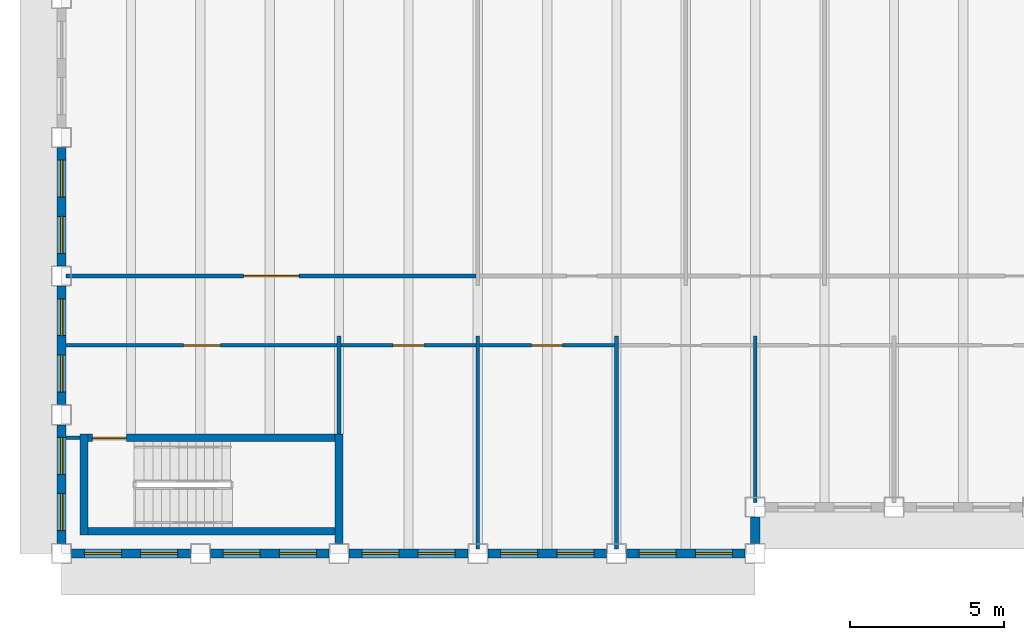
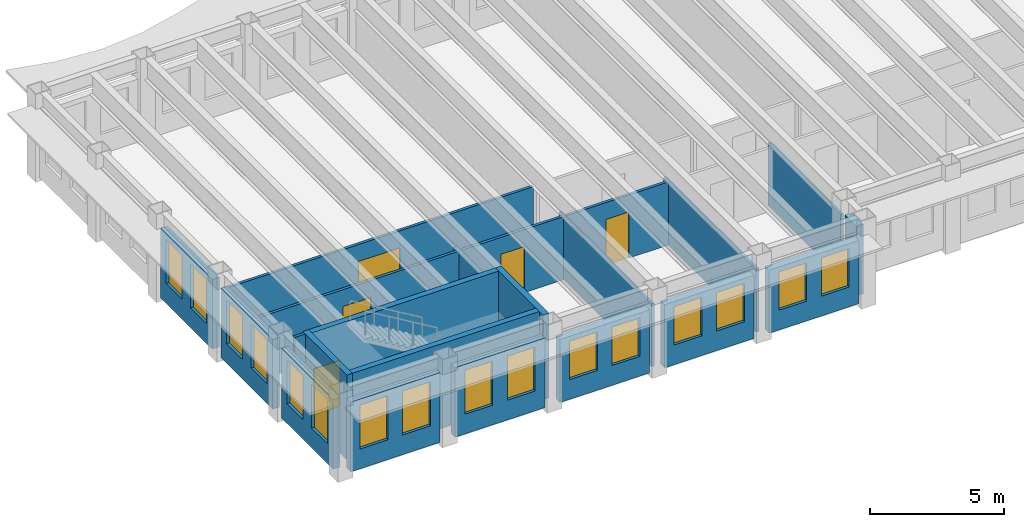
# One storey, part 2 of 12: 22 walls, 16 windows, 5 doors, 21 openings.
"""IFC4 building model written with IfcOpenShell, lengths in metres."""

from ifc_helpers import new_model, si_unit, direction, frame, frame_2d, origin, place, context, subcontext, project, spatial, rectangle, extrude, material, layer, layer_set, type_object, element, fill, save


model = new_model("IFC4")

# Units and contexts
model_context = context("Model", 3, precision=1e-05, world=origin(), true_north=direction((0.0, 1.0)))
body_context = subcontext(model_context, "Body", "Model", "MODEL_VIEW")
ifc_project = project(units=[si_unit("LENGTHUNIT", "METRE"), si_unit("AREAUNIT", "SQUARE_METRE"), si_unit("VOLUMEUNIT", "CUBIC_METRE"), si_unit("PLANEANGLEUNIT", "RADIAN"), si_unit("MASSUNIT", "GRAM", prefix="KILO")], contexts=[model_context])

# Site, building, storey
site_placement = place(None, origin())
site = spatial("IfcSite", under=ifc_project, at=site_placement, CompositionType="ELEMENT")
building_placement = place(site_placement, origin())
building = spatial("IfcBuilding", under=site, at=building_placement, Name="Sennacour Bend Tower", CompositionType="ELEMENT")
storey_placement = place(building_placement, frame((0.0, 0.0, 277.0)))
storey = spatial("IfcBuildingStorey", under=building, at=storey_placement, Name="L64", CompositionType="ELEMENT", Elevation=277.0)

# Walls
ifc_material_1 = material(Name="Plasterboard partition on steel studs", Category="steel")
ifc_layer_1 = layer(ifc_material_1, 0.1201171875, Name="Plasterboard partition on steel studs", Category="steel")
ifc_layer_set_1 = layer_set([ifc_layer_1], Name="Plasterboard partition on steel studs")
wall_type_1 = type_object("IfcWallType", Name="Partition 120", PredefinedType="PARTITIONING", material=ifc_layer_set_1)
wall_1_placement = place(storey_placement, frame((9.0, 3.875, 0.0), z_axis=(0.0, 0.0, 1.0), x_axis=(0.0, 1.0, 0.0)))
element("IfcWall", 1, at=wall_1_placement, inside=storey, type_object=wall_type_1, Name="P-L64-W005a", PredefinedType="PARTITIONING", context=body_context, shape_type="SweptSolid", body=[
    extrude(rectangle(XDim=3.175048828125, YDim=0.1201171875, at=frame_2d((1.58740234375, 0.0))), origin(), (0.0, 0.0, 1.0), 2.8701171875),
])
for number, where, z_axis, x_axis, name in (
    (2, (13.5, 0.14990234375, 0.0), (0.0, 0.0, 1.0), (0.0, 1.0, 0.0), "P-L64-W006a"),
    (3, (18.0, 0.14990234375, 0.0), (0.0, 0.0, 1.0), (0.0, 1.0, 0.0), "P-L64-W008a"),
):
    element("IfcWall", number, at=place(storey_placement, frame(where, z_axis=z_axis, x_axis=x_axis)), inside=storey, type_object=wall_type_1, Name=name, PredefinedType="PARTITIONING", context=body_context, shape_type="SweptSolid", body=[
        extrude(rectangle(XDim=6.900146484375, YDim=0.1201171875, at=frame_2d((3.4501953125, 0.0))), origin(), (0.0, 0.0, 1.0), 2.8701171875),
    ])
wall_2_placement = place(storey_placement, frame((22.5, 1.64990234375, 0.0), z_axis=(0.0, 0.0, 1.0), x_axis=(0.0, 1.0, 0.0)))
element("IfcWall", 4, at=wall_2_placement, inside=storey, type_object=wall_type_1, Name="P-L64-W010a", PredefinedType="PARTITIONING", context=body_context, shape_type="SweptSolid", body=[
    extrude(rectangle(XDim=5.400146484375, YDim=0.1201171875, at=frame_2d((2.7001953125, 0.0))), origin(), (0.0, 0.0, 1.0), 2.8701171875),
])
wall_3_placement = place(storey_placement, frame((0.14990234375, 3.75, 0.0), z_axis=(0.0, 0.0, 1.0), x_axis=(1.0, 0.0, 0.0)))
element("IfcWall", 5, at=wall_3_placement, inside=storey, type_object=wall_type_1, Name="P-L64-W037a", PredefinedType="PARTITIONING", context=body_context, shape_type="SweptSolid", body=[
    extrude(rectangle(XDim=0.4501953125, YDim=0.1201171875, at=frame_2d((0.22509765625, 0.0))), origin(), (0.0, 0.0, 1.0), 3.85009765625),
])

# Wall, opening, door
wall_4_placement = place(storey_placement, frame((9.06005859375, 6.75, 0.0), z_axis=(0.0, 0.0, 1.0), x_axis=(1.0, 0.0, 0.0)))
wall_4 = element("IfcWall", 6, at=wall_4_placement, inside=storey, type_object=wall_type_1, Name="P-L64-W043ab", PredefinedType="PARTITIONING", context=body_context, shape_type="SweptSolid", body=[
    extrude(rectangle(XDim=4.3798828125, YDim=0.1201171875, at=frame_2d((2.18994140625, 0.0))), origin(), (0.0, 0.0, 1.0), 2.8701171875),
])
opening_1_placement = place(wall_4_placement, frame((1.68994140625, 0.0, 0.0)))
opening_1 = element("IfcOpeningElement", 7, at=opening_1_placement, cuts=wall_4, Name="Opening OD2", PredefinedType="OPENING", context=body_context, shape_type="SweptSolid", body=[
    extrude(rectangle(XDim=1.0, YDim=2.10009765625, at=frame_2d((0.5, 1.050048828125))), frame((0.0, 0.070068359375, 0.0), z_axis=(0.0, -1.0, 0.0), x_axis=(1.0, 0.0, 0.0)), (0.0, 0.0, 1.0), 0.14013671875),
])
ifc_material_2 = material(Name="Timber", Category="wood")
door_type_1 = type_object("IfcDoorType", Name="DR-OFFICE-1000", OperationType="NOTDEFINED", PredefinedType="DOOR", material=ifc_material_2)
door_1_placement = place(opening_1_placement, origin())
door_1 = element("IfcDoor", 8, at=door_1_placement, inside=storey, type_object=door_type_1, Name="Door", OperationType="SINGLE_SWING_LEFT", OverallHeight=2.10009765625, OverallWidth=1.0, PredefinedType="DOOR", context=body_context, shape_type="SweptSolid", body=[
    extrude(rectangle(XDim=1.0, YDim=2.10009765625, at=frame_2d((0.5, 1.050048828125))), frame((0.0, 0.02490234375, 0.0), z_axis=(0.0, -1.0, 0.0), x_axis=(1.0, 0.0, 0.0)), (0.0, 0.0, 1.0), 0.050048828125),
])
fill(opening_1, door_1)

wall_5_placement = place(storey_placement, frame((13.56005859375, 6.75, 0.0), z_axis=(0.0, 0.0, 1.0), x_axis=(1.0, 0.0, 0.0)))
wall_5 = element("IfcWall", 9, at=wall_5_placement, inside=storey, type_object=wall_type_1, Name="P-L64-W043ac", PredefinedType="PARTITIONING", context=body_context, shape_type="SweptSolid", body=[
    extrude(rectangle(XDim=4.3798828125, YDim=0.1201171875, at=frame_2d((2.18994140625, 0.0))), origin(), (0.0, 0.0, 1.0), 2.8701171875),
])
opening_2_placement = place(wall_5_placement, frame((1.68994140625, 0.0, 0.0)))
opening_2 = element("IfcOpeningElement", 10, at=opening_2_placement, cuts=wall_5, Name="Opening OD2", PredefinedType="OPENING", context=body_context, shape_type="SweptSolid", body=[
    extrude(rectangle(XDim=1.0, YDim=2.10009765625, at=frame_2d((0.5, 1.050048828125))), frame((0.0, 0.070068359375, 0.0), z_axis=(0.0, -1.0, 0.0), x_axis=(1.0, 0.0, 0.0)), (0.0, 0.0, 1.0), 0.14013671875),
])
door_2_placement = place(opening_2_placement, origin())
door_2 = element("IfcDoor", 11, at=door_2_placement, inside=storey, type_object=door_type_1, Name="Door", OperationType="SINGLE_SWING_LEFT", OverallHeight=2.10009765625, OverallWidth=1.0, PredefinedType="DOOR", context=body_context, shape_type="SweptSolid", body=[
    extrude(rectangle(XDim=1.0, YDim=2.10009765625, at=frame_2d((0.5, 1.050048828125))), frame((0.0, 0.02490234375, 0.0), z_axis=(0.0, -1.0, 0.0), x_axis=(1.0, 0.0, 0.0)), (0.0, 0.0, 1.0), 0.050048828125),
])
fill(opening_2, door_2)

wall_6_placement = place(storey_placement, frame((0.14990234375, 9.0, 0.0), z_axis=(0.0, 0.0, 1.0), x_axis=(1.0, 0.0, 0.0)))
wall_6 = element("IfcWall", 12, at=wall_6_placement, inside=storey, type_object=wall_type_1, Name="P-L64-W044aa", PredefinedType="PARTITIONING", context=body_context, shape_type="SweptSolid", body=[
    extrude(rectangle(XDim=13.2900390625, YDim=0.1201171875, at=frame_2d((6.64501953125, 0.0))), origin(), (0.0, 0.0, 1.0), 2.8701171875),
])
opening_3_placement = place(wall_6_placement, frame((5.755126953125, 0.0, 0.0)))
opening_3 = element("IfcOpeningElement", 13, at=opening_3_placement, cuts=wall_6, Name="Opening OD3", PredefinedType="OPENING", context=body_context, shape_type="SweptSolid", body=[
    extrude(rectangle(XDim=1.800048828125, YDim=2.10009765625, at=frame_2d((0.89990234375, 1.050048828125))), frame((0.0, 0.070068359375, 0.0), z_axis=(0.0, -1.0, 0.0), x_axis=(1.0, 0.0, 0.0)), (0.0, 0.0, 1.0), 0.14013671875),
])
door_type_2 = type_object("IfcDoorType", Name="DR-OFFICE-1800", OperationType="NOTDEFINED", PredefinedType="DOOR", material=ifc_material_2)
door_3_placement = place(opening_3_placement, origin())
door_3 = element("IfcDoor", 14, at=door_3_placement, inside=storey, type_object=door_type_2, Name="Door", OperationType="DOUBLE_DOOR_SINGLE_SWING", OverallHeight=2.10009765625, OverallWidth=1.800048828125, PredefinedType="DOOR", context=body_context, shape_type="SweptSolid", body=[
    extrude(rectangle(XDim=1.800048828125, YDim=2.10009765625, at=frame_2d((0.89990234375, 1.050048828125))), frame((0.0, 0.02490234375, 0.0), z_axis=(0.0, -1.0, 0.0), x_axis=(1.0, 0.0, 0.0)), (0.0, 0.0, 1.0), 0.050048828125),
])
fill(opening_3, door_3)

ifc_layer_2 = layer(ifc_material_1, 0.1201171875, Name="Plasterboard partition on steel studs", Category="steel")
ifc_layer_set_2 = layer_set([ifc_layer_2], Name="Plasterboard partition on steel studs")
wall_type_2 = type_object("IfcWallType", Name="Partition 120 EI 30", PredefinedType="PARTITIONING", material=ifc_layer_set_2)
wall_7_placement = place(storey_placement, frame((0.14990234375, 6.75, 0.0), z_axis=(0.0, 0.0, 1.0), x_axis=(1.0, 0.0, 0.0)))
wall_7 = element("IfcWall", 15, at=wall_7_placement, inside=storey, type_object=wall_type_2, Name="P-L64-W043aa", PredefinedType="PARTITIONING", context=body_context, shape_type="SweptSolid", body=[
    extrude(rectangle(XDim=8.7900390625, YDim=0.1201171875, at=frame_2d((4.39501953125, 0.0))), origin(), (0.0, 0.0, 1.0), 2.8701171875),
])
opening_4_placement = place(wall_7_placement, frame((3.80517578125, 0.0, 0.0)))
opening_4 = element("IfcOpeningElement", 16, at=opening_4_placement, cuts=wall_7, Name="Opening KD2", PredefinedType="OPENING", context=body_context, shape_type="SweptSolid", body=[
    extrude(rectangle(XDim=1.199951171875, YDim=2.10009765625, at=frame_2d((0.60009765625, 1.050048828125))), frame((0.0, 0.070068359375, 0.0), z_axis=(0.0, -1.0, 0.0), x_axis=(1.0, 0.0, 0.0)), (0.0, 0.0, 1.0), 0.14013671875),
])
ifc_material_3 = material(Name="Painted steel", Category="steel")
door_type_3 = type_object("IfcDoorType", Name="DR-CORRIDOR-1200", OperationType="NOTDEFINED", PredefinedType="DOOR", material=ifc_material_3)
door_4_placement = place(opening_4_placement, origin())
door_4 = element("IfcDoor", 17, at=door_4_placement, inside=storey, type_object=door_type_3, Name="Door", OperationType="SINGLE_SWING_RIGHT", OverallHeight=2.10009765625, OverallWidth=1.199951171875, PredefinedType="DOOR", context=body_context, shape_type="SweptSolid", body=[
    extrude(rectangle(XDim=1.199951171875, YDim=2.10009765625, at=frame_2d((0.60009765625, 1.050048828125))), frame((0.0, 0.02490234375, 0.0), z_axis=(0.0, -1.0, 0.0), x_axis=(1.0, 0.0, 0.0)), (0.0, 0.0, 1.0), 0.050048828125),
])
fill(opening_4, door_4)

# Wall
ifc_material_4 = material(Name="Warm limestone cladding", Category="masonry")
ifc_layer_3 = layer(ifc_material_4, 0.050048828125, Name="Warm limestone cladding", Category="masonry")
ifc_material_5 = material(Name="Precast concrete C40/50", Category="concrete")
ifc_layer_4 = layer(ifc_material_5, 0.25, Name="Precast concrete C40/50", Category="concrete")
ifc_layer_set_3 = layer_set([ifc_layer_3, ifc_layer_4], Name="Precast concrete C40/50 with limestone cladding")
wall_type_3 = type_object("IfcWallType", Name="STONE-CLAD PRECAST SPANDREL 300", PredefinedType="STANDARD", material=ifc_layer_set_3)
wall_8_placement = place(storey_placement, frame((22.5, 0.324951171875, 0.0), z_axis=(0.0, 0.0, 1.0), x_axis=(0.0, 1.0, 0.0)))
element("IfcWall", 18, at=wall_8_placement, inside=storey, type_object=wall_type_3, Name="Stone spandrel and pier wall L64 00.00", PredefinedType="STANDARD", context=body_context, shape_type="SweptSolid", body=[
    extrude(rectangle(XDim=0.85009765625, YDim=0.300048828125, at=frame_2d((0.425048828125, 0.0))), origin(), (0.0, 0.0, 1.0), 3.162109375),
])

# Wall, openings, windows
wall_9_placement = place(storey_placement, frame((0.0, 13.175048828125, 0.0), z_axis=(0.0, 0.0, 1.0), x_axis=(0.0, -1.0, 0.0)))
wall_9 = element("IfcWall", 19, at=wall_9_placement, inside=storey, type_object=wall_type_3, Name="Stone spandrel and pier wall L64 10.02", PredefinedType="STANDARD", context=body_context, shape_type="SweptSolid", body=[
    extrude(rectangle(XDim=3.85009765625, YDim=0.300048828125, at=frame_2d((1.925048828125, 0.0))), origin(), (0.0, 0.0, 1.0), 3.162109375),
])
opening_5_placement = place(wall_9_placement, frame((0.41259765625, 0.0, 0.89990234375)))
opening_5 = element("IfcOpeningElement", 20, at=opening_5_placement, cuts=wall_9, Name="Opening W14", PredefinedType="OPENING", context=body_context, shape_type="SweptSolid", body=[
    extrude(rectangle(XDim=1.199951171875, YDim=2.0, at=frame_2d((0.60009765625, 1.0))), frame((0.0, 0.16015625, 0.0), z_axis=(0.0, -1.0, 0.0), x_axis=(1.0, 0.0, 0.0)), (0.0, 0.0, 1.0), 0.320068359375),
])
opening_6_placement = place(wall_9_placement, frame((2.237548828125, 0.0, 0.89990234375)))
opening_6 = element("IfcOpeningElement", 21, at=opening_6_placement, cuts=wall_9, Name="Opening W14", PredefinedType="OPENING", context=body_context, shape_type="SweptSolid", body=[
    extrude(rectangle(XDim=1.199951171875, YDim=2.0, at=frame_2d((0.60009765625, 1.0))), frame((0.0, 0.16015625, 0.0), z_axis=(0.0, -1.0, 0.0), x_axis=(1.0, 0.0, 0.0)), (0.0, 0.0, 1.0), 0.320068359375),
])
ifc_material_6 = material(Name="Clear low-emissivity glass", Category="glass")
window_type_1 = type_object("IfcWindowType", Name="WIN-RIBBON-1200x2000", PartitioningType="SINGLE_PANEL", PredefinedType="WINDOW", material=ifc_material_6)
window_1_placement = place(opening_5_placement, origin())
window_1 = element("IfcWindow", 22, at=window_1_placement, inside=storey, type_object=window_type_1, Name="Ribbon window L64 10.02.0", OverallHeight=2.0, OverallWidth=1.199951171875, PartitioningType="SINGLE_PANEL", PredefinedType="WINDOW", context=body_context, shape_type="SweptSolid", body=[
    extrude(rectangle(XDim=1.199951171875, YDim=2.0, at=frame_2d((0.60009765625, 1.0))), frame((0.0, 0.030029296875, 0.0), z_axis=(0.0, -1.0, 0.0), x_axis=(1.0, 0.0, 0.0)), (0.0, 0.0, 1.0), 0.06005859375),
])
fill(opening_5, window_1)
window_2_placement = place(opening_6_placement, origin())
window_2 = element("IfcWindow", 23, at=window_2_placement, inside=storey, type_object=window_type_1, Name="Ribbon window L64 10.02.1", OverallHeight=2.0, OverallWidth=1.199951171875, PartitioningType="SINGLE_PANEL", PredefinedType="WINDOW", context=body_context, shape_type="SweptSolid", body=[
    extrude(rectangle(XDim=1.199951171875, YDim=2.0, at=frame_2d((0.60009765625, 1.0))), frame((0.0, 0.030029296875, 0.0), z_axis=(0.0, -1.0, 0.0), x_axis=(1.0, 0.0, 0.0)), (0.0, 0.0, 1.0), 0.06005859375),
])
fill(opening_6, window_2)

wall_10_placement = place(storey_placement, frame((0.0, 8.675048828125, 0.0), z_axis=(0.0, 0.0, 1.0), x_axis=(0.0, -1.0, 0.0)))
wall_10 = element("IfcWall", 24, at=wall_10_placement, inside=storey, type_object=wall_type_3, Name="Stone spandrel and pier wall L64 10.03", PredefinedType="STANDARD", context=body_context, shape_type="SweptSolid", body=[
    extrude(rectangle(XDim=3.85009765625, YDim=0.300048828125, at=frame_2d((1.925048828125, 0.0))), origin(), (0.0, 0.0, 1.0), 3.162109375),
])
opening_7_placement = place(wall_10_placement, frame((0.41259765625, 0.0, 0.89990234375)))
opening_7 = element("IfcOpeningElement", 25, at=opening_7_placement, cuts=wall_10, Name="Opening W14", PredefinedType="OPENING", context=body_context, shape_type="SweptSolid", body=[
    extrude(rectangle(XDim=1.199951171875, YDim=2.0, at=frame_2d((0.60009765625, 1.0))), frame((0.0, 0.16015625, 0.0), z_axis=(0.0, -1.0, 0.0), x_axis=(1.0, 0.0, 0.0)), (0.0, 0.0, 1.0), 0.320068359375),
])
opening_8_placement = place(wall_10_placement, frame((2.237548828125, 0.0, 0.89990234375)))
opening_8 = element("IfcOpeningElement", 26, at=opening_8_placement, cuts=wall_10, Name="Opening W14", PredefinedType="OPENING", context=body_context, shape_type="SweptSolid", body=[
    extrude(rectangle(XDim=1.199951171875, YDim=2.0, at=frame_2d((0.60009765625, 1.0))), frame((0.0, 0.16015625, 0.0), z_axis=(0.0, -1.0, 0.0), x_axis=(1.0, 0.0, 0.0)), (0.0, 0.0, 1.0), 0.320068359375),
])
window_3_placement = place(opening_7_placement, origin())
window_3 = element("IfcWindow", 27, at=window_3_placement, inside=storey, type_object=window_type_1, Name="Ribbon window L64 10.03.0", OverallHeight=2.0, OverallWidth=1.199951171875, PartitioningType="SINGLE_PANEL", PredefinedType="WINDOW", context=body_context, shape_type="SweptSolid", body=[
    extrude(rectangle(XDim=1.199951171875, YDim=2.0, at=frame_2d((0.60009765625, 1.0))), frame((0.0, 0.030029296875, 0.0), z_axis=(0.0, -1.0, 0.0), x_axis=(1.0, 0.0, 0.0)), (0.0, 0.0, 1.0), 0.06005859375),
])
fill(opening_7, window_3)
window_4_placement = place(opening_8_placement, origin())
window_4 = element("IfcWindow", 28, at=window_4_placement, inside=storey, type_object=window_type_1, Name="Ribbon window L64 10.03.1", OverallHeight=2.0, OverallWidth=1.199951171875, PartitioningType="SINGLE_PANEL", PredefinedType="WINDOW", context=body_context, shape_type="SweptSolid", body=[
    extrude(rectangle(XDim=1.199951171875, YDim=2.0, at=frame_2d((0.60009765625, 1.0))), frame((0.0, 0.030029296875, 0.0), z_axis=(0.0, -1.0, 0.0), x_axis=(1.0, 0.0, 0.0)), (0.0, 0.0, 1.0), 0.06005859375),
])
fill(opening_8, window_4)

wall_11_placement = place(storey_placement, frame((0.0, 4.175048828125, 0.0), z_axis=(0.0, 0.0, 1.0), x_axis=(0.0, -1.0, 0.0)))
wall_11 = element("IfcWall", 29, at=wall_11_placement, inside=storey, type_object=wall_type_3, Name="Stone spandrel and pier wall L64 10.04", PredefinedType="STANDARD", context=body_context, shape_type="SweptSolid", body=[
    extrude(rectangle(XDim=3.85009765625, YDim=0.300048828125, at=frame_2d((1.925048828125, 0.0))), origin(), (0.0, 0.0, 1.0), 3.162109375),
])
opening_9_placement = place(wall_11_placement, frame((0.41259765625, 0.0, 0.89990234375)))
opening_9 = element("IfcOpeningElement", 30, at=opening_9_placement, cuts=wall_11, Name="Opening W14", PredefinedType="OPENING", context=body_context, shape_type="SweptSolid", body=[
    extrude(rectangle(XDim=1.199951171875, YDim=2.0, at=frame_2d((0.60009765625, 1.0))), frame((0.0, 0.16015625, 0.0), z_axis=(0.0, -1.0, 0.0), x_axis=(1.0, 0.0, 0.0)), (0.0, 0.0, 1.0), 0.320068359375),
])
opening_10_placement = place(wall_11_placement, frame((2.237548828125, 0.0, 0.89990234375)))
opening_10 = element("IfcOpeningElement", 31, at=opening_10_placement, cuts=wall_11, Name="Opening W14", PredefinedType="OPENING", context=body_context, shape_type="SweptSolid", body=[
    extrude(rectangle(XDim=1.199951171875, YDim=2.0, at=frame_2d((0.60009765625, 1.0))), frame((0.0, 0.16015625, 0.0), z_axis=(0.0, -1.0, 0.0), x_axis=(1.0, 0.0, 0.0)), (0.0, 0.0, 1.0), 0.320068359375),
])
window_5_placement = place(opening_9_placement, origin())
window_5 = element("IfcWindow", 32, at=window_5_placement, inside=storey, type_object=window_type_1, Name="Ribbon window L64 10.04.0", OverallHeight=2.0, OverallWidth=1.199951171875, PartitioningType="SINGLE_PANEL", PredefinedType="WINDOW", context=body_context, shape_type="SweptSolid", body=[
    extrude(rectangle(XDim=1.199951171875, YDim=2.0, at=frame_2d((0.60009765625, 1.0))), frame((0.0, 0.030029296875, 0.0), z_axis=(0.0, -1.0, 0.0), x_axis=(1.0, 0.0, 0.0)), (0.0, 0.0, 1.0), 0.06005859375),
])
fill(opening_9, window_5)
window_6_placement = place(opening_10_placement, origin())
window_6 = element("IfcWindow", 33, at=window_6_placement, inside=storey, type_object=window_type_1, Name="Ribbon window L64 10.04.1", OverallHeight=2.0, OverallWidth=1.199951171875, PartitioningType="SINGLE_PANEL", PredefinedType="WINDOW", context=body_context, shape_type="SweptSolid", body=[
    extrude(rectangle(XDim=1.199951171875, YDim=2.0, at=frame_2d((0.60009765625, 1.0))), frame((0.0, 0.030029296875, 0.0), z_axis=(0.0, -1.0, 0.0), x_axis=(1.0, 0.0, 0.0)), (0.0, 0.0, 1.0), 0.06005859375),
])
fill(opening_10, window_6)

wall_12_placement = place(storey_placement, frame((0.324951171875, 0.0, 0.0), z_axis=(0.0, 0.0, 1.0), x_axis=(1.0, 0.0, 0.0)))
wall_12 = element("IfcWall", 34, at=wall_12_placement, inside=storey, type_object=wall_type_3, Name="Stone spandrel and pier wall L64 11.00", PredefinedType="STANDARD", context=body_context, shape_type="SweptSolid", body=[
    extrude(rectangle(XDim=3.85009765625, YDim=0.300048828125, at=frame_2d((1.925048828125, 0.0))), origin(), (0.0, 0.0, 1.0), 3.162109375),
])
opening_11_placement = place(wall_12_placement, frame((0.41259765625, 0.0, 0.89990234375)))
opening_11 = element("IfcOpeningElement", 35, at=opening_11_placement, cuts=wall_12, Name="Opening W14", PredefinedType="OPENING", context=body_context, shape_type="SweptSolid", body=[
    extrude(rectangle(XDim=1.199951171875, YDim=2.0, at=frame_2d((0.60009765625, 1.0))), frame((0.0, 0.16015625, 0.0), z_axis=(0.0, -1.0, 0.0), x_axis=(1.0, 0.0, 0.0)), (0.0, 0.0, 1.0), 0.320068359375),
])
opening_12_placement = place(wall_12_placement, frame((2.237548828125, 0.0, 0.89990234375)))
opening_12 = element("IfcOpeningElement", 36, at=opening_12_placement, cuts=wall_12, Name="Opening W14", PredefinedType="OPENING", context=body_context, shape_type="SweptSolid", body=[
    extrude(rectangle(XDim=1.199951171875, YDim=2.0, at=frame_2d((0.60009765625, 1.0))), frame((0.0, 0.16015625, 0.0), z_axis=(0.0, -1.0, 0.0), x_axis=(1.0, 0.0, 0.0)), (0.0, 0.0, 1.0), 0.320068359375),
])
window_7_placement = place(opening_11_placement, origin())
window_7 = element("IfcWindow", 37, at=window_7_placement, inside=storey, type_object=window_type_1, Name="Ribbon window L64 11.00.0", OverallHeight=2.0, OverallWidth=1.199951171875, PartitioningType="SINGLE_PANEL", PredefinedType="WINDOW", context=body_context, shape_type="SweptSolid", body=[
    extrude(rectangle(XDim=1.199951171875, YDim=2.0, at=frame_2d((0.60009765625, 1.0))), frame((0.0, 0.030029296875, 0.0), z_axis=(0.0, -1.0, 0.0), x_axis=(1.0, 0.0, 0.0)), (0.0, 0.0, 1.0), 0.06005859375),
])
fill(opening_11, window_7)
window_8_placement = place(opening_12_placement, origin())
window_8 = element("IfcWindow", 38, at=window_8_placement, inside=storey, type_object=window_type_1, Name="Ribbon window L64 11.00.1", OverallHeight=2.0, OverallWidth=1.199951171875, PartitioningType="SINGLE_PANEL", PredefinedType="WINDOW", context=body_context, shape_type="SweptSolid", body=[
    extrude(rectangle(XDim=1.199951171875, YDim=2.0, at=frame_2d((0.60009765625, 1.0))), frame((0.0, 0.030029296875, 0.0), z_axis=(0.0, -1.0, 0.0), x_axis=(1.0, 0.0, 0.0)), (0.0, 0.0, 1.0), 0.06005859375),
])
fill(opening_12, window_8)

wall_13_placement = place(storey_placement, frame((4.824951171875, 0.0, 0.0), z_axis=(0.0, 0.0, 1.0), x_axis=(1.0, 0.0, 0.0)))
wall_13 = element("IfcWall", 39, at=wall_13_placement, inside=storey, type_object=wall_type_3, Name="Stone spandrel and pier wall L64 11.01", PredefinedType="STANDARD", context=body_context, shape_type="SweptSolid", body=[
    extrude(rectangle(XDim=3.85009765625, YDim=0.300048828125, at=frame_2d((1.925048828125, 0.0))), origin(), (0.0, 0.0, 1.0), 3.162109375),
])
opening_13_placement = place(wall_13_placement, frame((0.41259765625, 0.0, 0.89990234375)))
opening_13 = element("IfcOpeningElement", 40, at=opening_13_placement, cuts=wall_13, Name="Opening W14", PredefinedType="OPENING", context=body_context, shape_type="SweptSolid", body=[
    extrude(rectangle(XDim=1.199951171875, YDim=2.0, at=frame_2d((0.60009765625, 1.0))), frame((0.0, 0.16015625, 0.0), z_axis=(0.0, -1.0, 0.0), x_axis=(1.0, 0.0, 0.0)), (0.0, 0.0, 1.0), 0.320068359375),
])
opening_14_placement = place(wall_13_placement, frame((2.237548828125, 0.0, 0.89990234375)))
opening_14 = element("IfcOpeningElement", 41, at=opening_14_placement, cuts=wall_13, Name="Opening W14", PredefinedType="OPENING", context=body_context, shape_type="SweptSolid", body=[
    extrude(rectangle(XDim=1.199951171875, YDim=2.0, at=frame_2d((0.60009765625, 1.0))), frame((0.0, 0.16015625, 0.0), z_axis=(0.0, -1.0, 0.0), x_axis=(1.0, 0.0, 0.0)), (0.0, 0.0, 1.0), 0.320068359375),
])
window_9_placement = place(opening_13_placement, origin())
window_9 = element("IfcWindow", 42, at=window_9_placement, inside=storey, type_object=window_type_1, Name="Ribbon window L64 11.01.0", OverallHeight=2.0, OverallWidth=1.199951171875, PartitioningType="SINGLE_PANEL", PredefinedType="WINDOW", context=body_context, shape_type="SweptSolid", body=[
    extrude(rectangle(XDim=1.199951171875, YDim=2.0, at=frame_2d((0.60009765625, 1.0))), frame((0.0, 0.030029296875, 0.0), z_axis=(0.0, -1.0, 0.0), x_axis=(1.0, 0.0, 0.0)), (0.0, 0.0, 1.0), 0.06005859375),
])
fill(opening_13, window_9)
window_10_placement = place(opening_14_placement, origin())
window_10 = element("IfcWindow", 43, at=window_10_placement, inside=storey, type_object=window_type_1, Name="Ribbon window L64 11.01.1", OverallHeight=2.0, OverallWidth=1.199951171875, PartitioningType="SINGLE_PANEL", PredefinedType="WINDOW", context=body_context, shape_type="SweptSolid", body=[
    extrude(rectangle(XDim=1.199951171875, YDim=2.0, at=frame_2d((0.60009765625, 1.0))), frame((0.0, 0.030029296875, 0.0), z_axis=(0.0, -1.0, 0.0), x_axis=(1.0, 0.0, 0.0)), (0.0, 0.0, 1.0), 0.06005859375),
])
fill(opening_14, window_10)

wall_14_placement = place(storey_placement, frame((9.324951171875, 0.0, 0.0), z_axis=(0.0, 0.0, 1.0), x_axis=(1.0, 0.0, 0.0)))
wall_14 = element("IfcWall", 44, at=wall_14_placement, inside=storey, type_object=wall_type_3, Name="Stone spandrel and pier wall L64 11.02", PredefinedType="STANDARD", context=body_context, shape_type="SweptSolid", body=[
    extrude(rectangle(XDim=3.85009765625, YDim=0.300048828125, at=frame_2d((1.925048828125, 0.0))), origin(), (0.0, 0.0, 1.0), 2.8701171875),
])
opening_15_placement = place(wall_14_placement, frame((0.41259765625, 0.0, 0.89990234375)))
opening_15 = element("IfcOpeningElement", 45, at=opening_15_placement, cuts=wall_14, Name="Opening W16", PredefinedType="OPENING", context=body_context, shape_type="SweptSolid", body=[
    extrude(rectangle(XDim=1.199951171875, YDim=1.75, at=frame_2d((0.60009765625, 0.875))), frame((0.0, 0.16015625, 0.0), z_axis=(0.0, -1.0, 0.0), x_axis=(1.0, 0.0, 0.0)), (0.0, 0.0, 1.0), 0.320068359375),
])
opening_16_placement = place(wall_14_placement, frame((2.237548828125, 0.0, 0.89990234375)))
opening_16 = element("IfcOpeningElement", 46, at=opening_16_placement, cuts=wall_14, Name="Opening W16", PredefinedType="OPENING", context=body_context, shape_type="SweptSolid", body=[
    extrude(rectangle(XDim=1.199951171875, YDim=1.75, at=frame_2d((0.60009765625, 0.875))), frame((0.0, 0.16015625, 0.0), z_axis=(0.0, -1.0, 0.0), x_axis=(1.0, 0.0, 0.0)), (0.0, 0.0, 1.0), 0.320068359375),
])
window_type_2 = type_object("IfcWindowType", Name="WIN-RIBBON-1200x1750", PartitioningType="SINGLE_PANEL", PredefinedType="WINDOW", material=ifc_material_6)
window_11_placement = place(opening_15_placement, origin())
window_11 = element("IfcWindow", 47, at=window_11_placement, inside=storey, type_object=window_type_2, Name="Ribbon window L64 11.02.0", OverallHeight=1.75, OverallWidth=1.199951171875, PartitioningType="SINGLE_PANEL", PredefinedType="WINDOW", context=body_context, shape_type="SweptSolid", body=[
    extrude(rectangle(XDim=1.199951171875, YDim=1.75, at=frame_2d((0.60009765625, 0.875))), frame((0.0, 0.030029296875, 0.0), z_axis=(0.0, -1.0, 0.0), x_axis=(1.0, 0.0, 0.0)), (0.0, 0.0, 1.0), 0.06005859375),
])
fill(opening_15, window_11)
window_12_placement = place(opening_16_placement, origin())
window_12 = element("IfcWindow", 48, at=window_12_placement, inside=storey, type_object=window_type_2, Name="Ribbon window L64 11.02.1", OverallHeight=1.75, OverallWidth=1.199951171875, PartitioningType="SINGLE_PANEL", PredefinedType="WINDOW", context=body_context, shape_type="SweptSolid", body=[
    extrude(rectangle(XDim=1.199951171875, YDim=1.75, at=frame_2d((0.60009765625, 0.875))), frame((0.0, 0.030029296875, 0.0), z_axis=(0.0, -1.0, 0.0), x_axis=(1.0, 0.0, 0.0)), (0.0, 0.0, 1.0), 0.06005859375),
])
fill(opening_16, window_12)

wall_15_placement = place(storey_placement, frame((13.824951171875, 0.0, 0.0), z_axis=(0.0, 0.0, 1.0), x_axis=(1.0, 0.0, 0.0)))
wall_15 = element("IfcWall", 49, at=wall_15_placement, inside=storey, type_object=wall_type_3, Name="Stone spandrel and pier wall L64 11.03", PredefinedType="STANDARD", context=body_context, shape_type="SweptSolid", body=[
    extrude(rectangle(XDim=3.85009765625, YDim=0.300048828125, at=frame_2d((1.925048828125, 0.0))), origin(), (0.0, 0.0, 1.0), 2.8701171875),
])
opening_17_placement = place(wall_15_placement, frame((0.41259765625, 0.0, 0.89990234375)))
opening_17 = element("IfcOpeningElement", 50, at=opening_17_placement, cuts=wall_15, Name="Opening W16", PredefinedType="OPENING", context=body_context, shape_type="SweptSolid", body=[
    extrude(rectangle(XDim=1.199951171875, YDim=1.75, at=frame_2d((0.60009765625, 0.875))), frame((0.0, 0.16015625, 0.0), z_axis=(0.0, -1.0, 0.0), x_axis=(1.0, 0.0, 0.0)), (0.0, 0.0, 1.0), 0.320068359375),
])
opening_18_placement = place(wall_15_placement, frame((2.237548828125, 0.0, 0.89990234375)))
opening_18 = element("IfcOpeningElement", 51, at=opening_18_placement, cuts=wall_15, Name="Opening W16", PredefinedType="OPENING", context=body_context, shape_type="SweptSolid", body=[
    extrude(rectangle(XDim=1.199951171875, YDim=1.75, at=frame_2d((0.60009765625, 0.875))), frame((0.0, 0.16015625, 0.0), z_axis=(0.0, -1.0, 0.0), x_axis=(1.0, 0.0, 0.0)), (0.0, 0.0, 1.0), 0.320068359375),
])
window_13_placement = place(opening_17_placement, origin())
window_13 = element("IfcWindow", 52, at=window_13_placement, inside=storey, type_object=window_type_2, Name="Ribbon window L64 11.03.0", OverallHeight=1.75, OverallWidth=1.199951171875, PartitioningType="SINGLE_PANEL", PredefinedType="WINDOW", context=body_context, shape_type="SweptSolid", body=[
    extrude(rectangle(XDim=1.199951171875, YDim=1.75, at=frame_2d((0.60009765625, 0.875))), frame((0.0, 0.030029296875, 0.0), z_axis=(0.0, -1.0, 0.0), x_axis=(1.0, 0.0, 0.0)), (0.0, 0.0, 1.0), 0.06005859375),
])
fill(opening_17, window_13)
window_14_placement = place(opening_18_placement, origin())
window_14 = element("IfcWindow", 53, at=window_14_placement, inside=storey, type_object=window_type_2, Name="Ribbon window L64 11.03.1", OverallHeight=1.75, OverallWidth=1.199951171875, PartitioningType="SINGLE_PANEL", PredefinedType="WINDOW", context=body_context, shape_type="SweptSolid", body=[
    extrude(rectangle(XDim=1.199951171875, YDim=1.75, at=frame_2d((0.60009765625, 0.875))), frame((0.0, 0.030029296875, 0.0), z_axis=(0.0, -1.0, 0.0), x_axis=(1.0, 0.0, 0.0)), (0.0, 0.0, 1.0), 0.06005859375),
])
fill(opening_18, window_14)

wall_16_placement = place(storey_placement, frame((18.324951171875, 0.0, 0.0), z_axis=(0.0, 0.0, 1.0), x_axis=(1.0, 0.0, 0.0)))
wall_16 = element("IfcWall", 54, at=wall_16_placement, inside=storey, type_object=wall_type_3, Name="Stone spandrel and pier wall L64 11.04", PredefinedType="STANDARD", context=body_context, shape_type="SweptSolid", body=[
    extrude(rectangle(XDim=3.85009765625, YDim=0.300048828125, at=frame_2d((1.925048828125, 0.0))), origin(), (0.0, 0.0, 1.0), 2.8701171875),
])
opening_19_placement = place(wall_16_placement, frame((0.41259765625, 0.0, 0.89990234375)))
opening_19 = element("IfcOpeningElement", 55, at=opening_19_placement, cuts=wall_16, Name="Opening W16", PredefinedType="OPENING", context=body_context, shape_type="SweptSolid", body=[
    extrude(rectangle(XDim=1.199951171875, YDim=1.75, at=frame_2d((0.60009765625, 0.875))), frame((0.0, 0.16015625, 0.0), z_axis=(0.0, -1.0, 0.0), x_axis=(1.0, 0.0, 0.0)), (0.0, 0.0, 1.0), 0.320068359375),
])
opening_20_placement = place(wall_16_placement, frame((2.237548828125, 0.0, 0.89990234375)))
opening_20 = element("IfcOpeningElement", 56, at=opening_20_placement, cuts=wall_16, Name="Opening W16", PredefinedType="OPENING", context=body_context, shape_type="SweptSolid", body=[
    extrude(rectangle(XDim=1.199951171875, YDim=1.75, at=frame_2d((0.60009765625, 0.875))), frame((0.0, 0.16015625, 0.0), z_axis=(0.0, -1.0, 0.0), x_axis=(1.0, 0.0, 0.0)), (0.0, 0.0, 1.0), 0.320068359375),
])
window_15_placement = place(opening_19_placement, origin())
window_15 = element("IfcWindow", 57, at=window_15_placement, inside=storey, type_object=window_type_2, Name="Ribbon window L64 11.04.0", OverallHeight=1.75, OverallWidth=1.199951171875, PartitioningType="SINGLE_PANEL", PredefinedType="WINDOW", context=body_context, shape_type="SweptSolid", body=[
    extrude(rectangle(XDim=1.199951171875, YDim=1.75, at=frame_2d((0.60009765625, 0.875))), frame((0.0, 0.030029296875, 0.0), z_axis=(0.0, -1.0, 0.0), x_axis=(1.0, 0.0, 0.0)), (0.0, 0.0, 1.0), 0.06005859375),
])
fill(opening_19, window_15)
window_16_placement = place(opening_20_placement, origin())
window_16 = element("IfcWindow", 58, at=window_16_placement, inside=storey, type_object=window_type_2, Name="Ribbon window L64 11.04.1", OverallHeight=1.75, OverallWidth=1.199951171875, PartitioningType="SINGLE_PANEL", PredefinedType="WINDOW", context=body_context, shape_type="SweptSolid", body=[
    extrude(rectangle(XDim=1.199951171875, YDim=1.75, at=frame_2d((0.60009765625, 0.875))), frame((0.0, 0.030029296875, 0.0), z_axis=(0.0, -1.0, 0.0), x_axis=(1.0, 0.0, 0.0)), (0.0, 0.0, 1.0), 0.06005859375),
])
fill(opening_20, window_16)

# Walls
ifc_material_7 = material(Name="Concrete C60/75", Category="concrete")
ifc_layer_5 = layer(ifc_material_7, 0.25, Name="Concrete C60/75", Category="concrete")
ifc_layer_set_4 = layer_set([ifc_layer_5], Name="Concrete C60/75")
wall_type_4 = type_object("IfcWallType", Name="Stair wall 250", PredefinedType="SHEAR", material=ifc_layer_set_4)
wall_17_placement = place(storey_placement, frame((0.72509765625, 0.60009765625, 0.0), z_axis=(0.0, 0.0, 1.0), x_axis=(0.0, 1.0, 0.0)))
element("IfcWall", 59, at=wall_17_placement, inside=storey, type_object=wall_type_4, Name="P-L64-W002", PredefinedType="SHEAR", context=body_context, shape_type="SweptSolid", body=[
    extrude(rectangle(XDim=3.27490234375, YDim=0.25, at=frame_2d((1.637451171875, 0.0))), origin(), (0.0, 0.0, 1.0), 3.85009765625),
])
wall_18_placement = place(storey_placement, frame((9.0, 0.324951171875, 0.0), z_axis=(0.0, 0.0, 1.0), x_axis=(0.0, 1.0, 0.0)))
element("IfcWall", 60, at=wall_18_placement, inside=storey, type_object=wall_type_4, Name="P-L64-W004", PredefinedType="SHEAR", context=body_context, shape_type="SweptSolid", body=[
    extrude(rectangle(XDim=3.550048828125, YDim=0.25, at=frame_2d((1.77490234375, 0.0))), origin(), (0.0, 0.0, 1.0), 3.85009765625),
])
wall_19_placement = place(storey_placement, frame((0.85009765625, 0.72509765625, 0.0), z_axis=(0.0, 0.0, 1.0), x_axis=(1.0, 0.0, 0.0)))
element("IfcWall", 61, at=wall_19_placement, inside=storey, type_object=wall_type_4, Name="P-L64-W033", PredefinedType="SHEAR", context=body_context, shape_type="SweptSolid", body=[
    extrude(rectangle(XDim=8.02490234375, YDim=0.25, at=frame_2d((4.012451171875, 0.0))), origin(), (0.0, 0.0, 1.0), 3.85009765625),
])

# Wall, opening, door
wall_20_placement = place(storey_placement, frame((0.85009765625, 3.75, 0.0), z_axis=(0.0, 0.0, 1.0), x_axis=(1.0, 0.0, 0.0)))
wall_20 = element("IfcWall", 62, at=wall_20_placement, inside=storey, type_object=wall_type_4, Name="P-L64-W038", PredefinedType="SHEAR", context=body_context, shape_type="SweptSolid", body=[
    extrude(rectangle(XDim=8.02490234375, YDim=0.25, at=frame_2d((4.012451171875, 0.0))), origin(), (0.0, 0.0, 1.0), 3.85009765625),
])
opening_21_placement = place(wall_20_placement, frame((0.14990234375, 0.0, 0.0)))
opening_21 = element("IfcOpeningElement", 63, at=opening_21_placement, cuts=wall_20, Name="Opening SD", PredefinedType="OPENING", context=body_context, shape_type="SweptSolid", body=[
    extrude(rectangle(XDim=1.10009765625, YDim=2.10009765625, at=frame_2d((0.550048828125, 1.050048828125))), frame((0.0, 0.135009765625, 0.0), z_axis=(0.0, -1.0, 0.0), x_axis=(1.0, 0.0, 0.0)), (0.0, 0.0, 1.0), 0.27001953125),
])
door_type_4 = type_object("IfcDoorType", Name="DR-STAIR-1100", OperationType="NOTDEFINED", PredefinedType="DOOR", material=ifc_material_3)
door_5_placement = place(opening_21_placement, origin())
door_5 = element("IfcDoor", 64, at=door_5_placement, inside=storey, type_object=door_type_4, Name="Door", OperationType="SINGLE_SWING_LEFT", OverallHeight=2.10009765625, OverallWidth=1.10009765625, PredefinedType="DOOR", context=body_context, shape_type="SweptSolid", body=[
    extrude(rectangle(XDim=1.10009765625, YDim=2.10009765625, at=frame_2d((0.550048828125, 1.050048828125))), frame((0.0, 0.02490234375, 0.0), z_axis=(0.0, -1.0, 0.0), x_axis=(1.0, 0.0, 0.0)), (0.0, 0.0, 1.0), 0.050048828125),
])
fill(opening_21, door_5)

save(model, "model.ifc")
